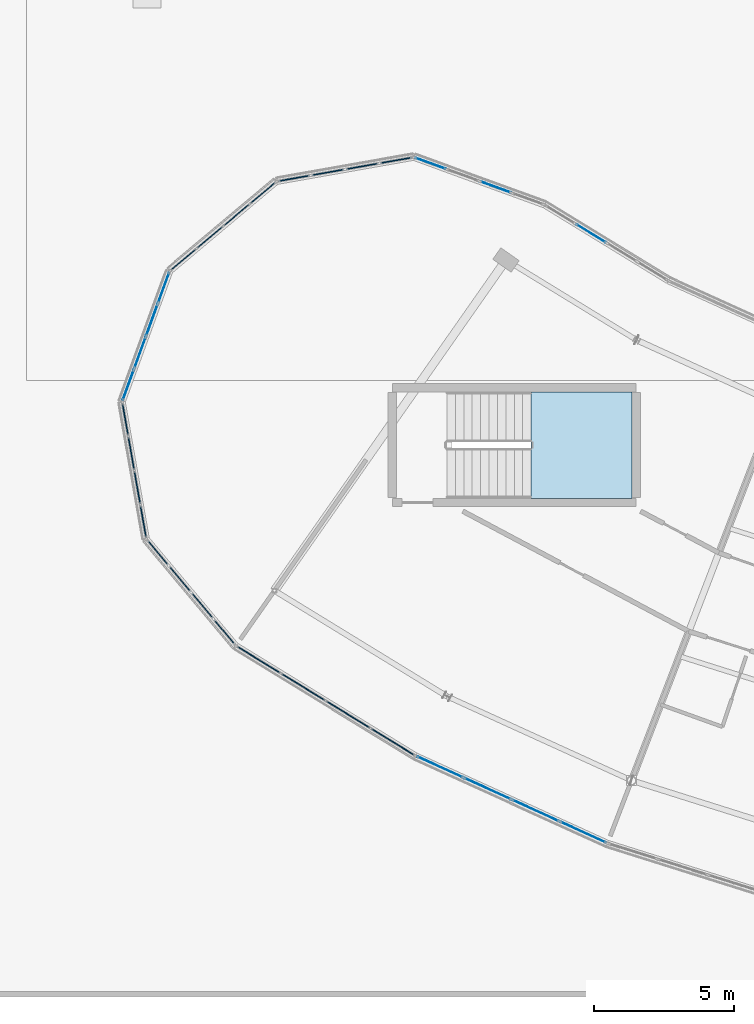
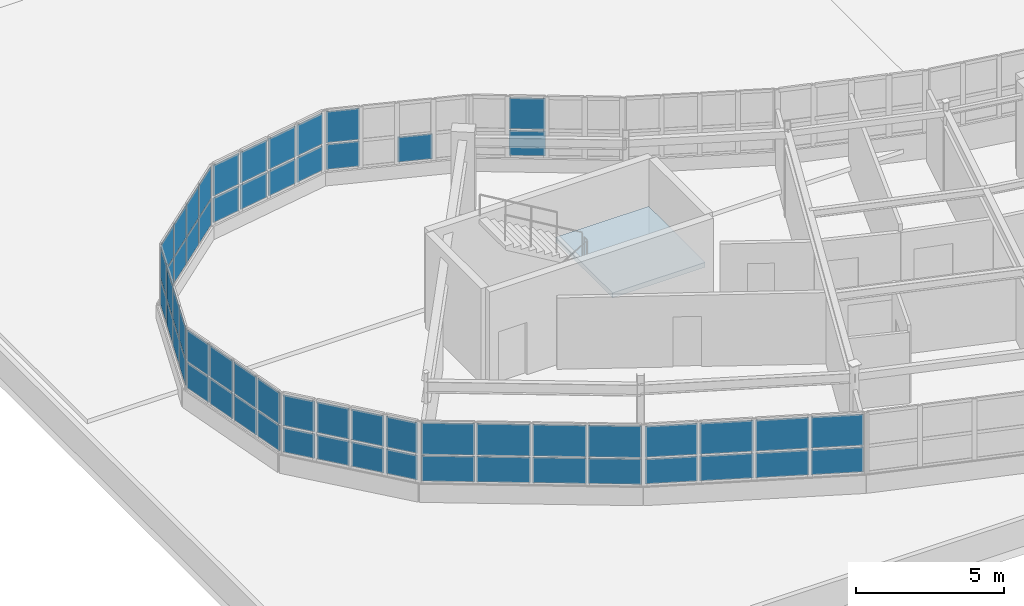
# One storey, part 67 of 128: 61 plates, 1 slab, 10 elements without a shape of their own.
"""IFC4 building model written with IfcOpenShell, lengths in metres."""

from ifc_helpers import new_model, si_unit, direction, frame, origin, origin_2d, place, context, subcontext, project, spatial, polyline, rectangle, outline, extrude, material, layer, layer_set, type_object, element, aggregate, save


model = new_model("IFC4")

# Units and contexts
model_context = context("Model", 3, precision=1e-05, world=origin(), true_north=direction((0.0, 1.0)))
body_context = subcontext(model_context, "Body", "Model", "MODEL_VIEW")
ifc_project = project(units=[si_unit("LENGTHUNIT", "METRE"), si_unit("AREAUNIT", "SQUARE_METRE"), si_unit("VOLUMEUNIT", "CUBIC_METRE"), si_unit("PLANEANGLEUNIT", "RADIAN"), si_unit("MASSUNIT", "GRAM", prefix="KILO")], contexts=[model_context])

# Site, building, storey
site_placement = place(None, origin())
site = spatial("IfcSite", under=ifc_project, at=site_placement, CompositionType="ELEMENT")
building_placement = place(site_placement, origin())
building = spatial("IfcBuilding", under=site, at=building_placement, Name="Tarnwether General Hospital", CompositionType="ELEMENT")
storey_placement = place(building_placement, frame((0.0, 0.0, 14.39990234375)))
storey = spatial("IfcBuildingStorey", under=building, at=storey_placement, Name="L03", CompositionType="ELEMENT", Elevation=14.39990234375)

# Curtain wall, plates
ifc_material_1 = material(Name="Anodised aluminium", Category="aluminium")
ifc_layer_1 = layer(ifc_material_1, 0.179931640625)
ifc_layer_set_1 = layer_set([ifc_layer_1], Name="Anodised aluminium")
curtain_wall_type_1 = type_object("IfcCurtainWallType", Name="CW-08", PredefinedType="NOTDEFINED", material=ifc_layer_set_1)
curtain_wall_1_placement = place(storey_placement, origin())
curtain_wall_1 = element("IfcCurtainWall", 1, at=curtain_wall_1_placement, inside=storey, type_object=curtain_wall_type_1, Name="Curtain Wall CWG-L03-699_55-0155", PredefinedType="NOTDEFINED")
ifc_material_2 = material(Name="Double glazed low-E glass", Category="glass")
ifc_layer_2 = layer(ifc_material_2, 0.028076171875)
ifc_layer_set_2 = layer_set([ifc_layer_2], Name="Double glazed low-E glass")
plate_type_1 = type_object("IfcPlateType", Name="PT-CWP1", PredefinedType="CURTAIN_PANEL", material=ifc_layer_set_2)
plate_1_placement = place(storey_placement, frame((69.053466796875, 5.88818359375, 1.1201171875), z_axis=(0.0, 0.0, 1.0), x_axis=(-0.909960793886, 0.414694289316, 0.0)))
plate_1 = element("IfcPlate", 2, at=plate_1_placement, type_object=plate_type_1, Name="CW-08 panel 1.1", PredefinedType="CURTAIN_PANEL", context=body_context, shape_type="SweptSolid", body=[
    extrude(rectangle(XDim=1.775390625, YDim=0.028076171875, at=origin_2d()), origin(), (0.0, 0.0, 1.0), 1.0244140625),
])
plate_2_placement = place(storey_placement, frame((69.053466796875, 5.88818359375, 2.214599609375), z_axis=(0.0, 0.0, 1.0), x_axis=(-0.909960793886, 0.414694289316, 0.0)))
plate_2 = element("IfcPlate", 3, at=plate_2_placement, type_object=plate_type_1, Name="CW-08 panel 1.2", PredefinedType="CURTAIN_PANEL", context=body_context, shape_type="SweptSolid", body=[
    extrude(rectangle(XDim=1.775390625, YDim=0.028076171875, at=origin_2d()), origin(), (0.0, 0.0, 1.0), 1.275390625),
])
plate_3_placement = place(storey_placement, frame((67.3583984375, 6.66064453125, 1.1201171875), z_axis=(0.0, 0.0, 1.0), x_axis=(-0.909960793886, 0.414694289316, 0.0)))
plate_3 = element("IfcPlate", 4, at=plate_3_placement, type_object=plate_type_1, Name="CW-08 panel 2.1", PredefinedType="CURTAIN_PANEL", context=body_context, shape_type="SweptSolid", body=[
    extrude(rectangle(XDim=1.810302734375, YDim=0.028076171875, at=origin_2d()), origin(), (0.0, 0.0, 1.0), 1.0244140625),
])
plate_4_placement = place(storey_placement, frame((67.3583984375, 6.66064453125, 2.214599609375), z_axis=(0.0, 0.0, 1.0), x_axis=(-0.909960793886, 0.414694289316, 0.0)))
plate_4 = element("IfcPlate", 5, at=plate_4_placement, type_object=plate_type_1, Name="CW-08 panel 2.2", PredefinedType="CURTAIN_PANEL", context=body_context, shape_type="SweptSolid", body=[
    extrude(rectangle(XDim=1.810302734375, YDim=0.028076171875, at=origin_2d()), origin(), (0.0, 0.0, 1.0), 1.275390625),
])
plate_5_placement = place(storey_placement, frame((65.6474609375, 7.4404296875, 1.1201171875), z_axis=(0.0, 0.0, 1.0), x_axis=(-0.909960793886, 0.414694289316, 0.0)))
plate_5 = element("IfcPlate", 6, at=plate_5_placement, type_object=plate_type_1, Name="CW-08 panel 3.1", PredefinedType="CURTAIN_PANEL", context=body_context, shape_type="SweptSolid", body=[
    extrude(rectangle(XDim=1.810302734375, YDim=0.028076171875, at=origin_2d()), origin(), (0.0, 0.0, 1.0), 1.0244140625),
])
plate_6_placement = place(storey_placement, frame((65.6474609375, 7.4404296875, 2.214599609375), z_axis=(0.0, 0.0, 1.0), x_axis=(-0.909960793886, 0.414694289316, 0.0)))
plate_6 = element("IfcPlate", 7, at=plate_6_placement, type_object=plate_type_1, Name="CW-08 panel 3.2", PredefinedType="CURTAIN_PANEL", context=body_context, shape_type="SweptSolid", body=[
    extrude(rectangle(XDim=1.810302734375, YDim=0.028076171875, at=origin_2d()), origin(), (0.0, 0.0, 1.0), 1.275390625),
])
plate_7_placement = place(storey_placement, frame((63.952392578125, 8.212890625, 1.1201171875), z_axis=(0.0, 0.0, 1.0), x_axis=(-0.909960793886, 0.414694289316, 0.0)))
plate_7 = element("IfcPlate", 8, at=plate_7_placement, type_object=plate_type_1, Name="CW-08 panel 4.1", PredefinedType="CURTAIN_PANEL", context=body_context, shape_type="SweptSolid", body=[
    extrude(rectangle(XDim=1.775390625, YDim=0.028076171875, at=origin_2d()), origin(), (0.0, 0.0, 1.0), 1.0244140625),
])
plate_8_placement = place(storey_placement, frame((63.952392578125, 8.212890625, 2.214599609375), z_axis=(0.0, 0.0, 1.0), x_axis=(-0.909960793886, 0.414694289316, 0.0)))
plate_8 = element("IfcPlate", 9, at=plate_8_placement, type_object=plate_type_1, Name="CW-08 panel 4.2", PredefinedType="CURTAIN_PANEL", context=body_context, shape_type="SweptSolid", body=[
    extrude(rectangle(XDim=1.775390625, YDim=0.028076171875, at=origin_2d()), origin(), (0.0, 0.0, 1.0), 1.275390625),
])
aggregate(curtain_wall_1, [plate_1, plate_2, plate_3, plate_4, plate_5, plate_6, plate_7, plate_8])

ifc_material_3 = material(Name="Anodised aluminium", Category="aluminium")
ifc_layer_3 = layer(ifc_material_3, 0.159912109375)
ifc_layer_set_3 = layer_set([ifc_layer_3], Name="Anodised aluminium")
curtain_wall_type_2 = type_object("IfcCurtainWallType", Name="CW-04", PredefinedType="NOTDEFINED", material=ifc_layer_set_3)
curtain_wall_2_placement = place(storey_placement, origin())
curtain_wall_2 = element("IfcCurtainWall", 10, at=curtain_wall_2_placement, inside=storey, type_object=curtain_wall_type_2, Name="Curtain Wall CWG-L03-677_283-0179", PredefinedType="NOTDEFINED")
plate_9_placement = place(storey_placement, frame((69.335205078125, 27.253662109375, 1.1201171875), z_axis=(0.0, 0.0, 1.0), x_axis=(0.852631789198, -0.522512231483, 0.0)))
plate_9 = element("IfcPlate", 11, at=plate_9_placement, type_object=plate_type_1, Name="CW-04 panel 2.1", PredefinedType="CURTAIN_PANEL", context=body_context, shape_type="SweptSolid", body=[
    extrude(rectangle(XDim=1.22412109375, YDim=0.028076171875, at=origin_2d()), origin(), (0.0, 0.0, 1.0), 1.0244140625),
])
plate_10_placement = place(storey_placement, frame((69.335205078125, 27.253662109375, 2.214599609375), z_axis=(0.0, 0.0, 1.0), x_axis=(0.852631789198, -0.522512231483, 0.0)))
plate_10 = element("IfcPlate", 12, at=plate_10_placement, type_object=plate_type_1, Name="CW-04 panel 2.2", PredefinedType="CURTAIN_PANEL", context=body_context, shape_type="SweptSolid", body=[
    extrude(rectangle(XDim=1.22412109375, YDim=0.028076171875, at=origin_2d()), origin(), (0.0, 0.0, 1.0), 1.275390625),
])
aggregate(curtain_wall_2, [plate_9, plate_10])

curtain_wall_3_placement = place(storey_placement, origin())
curtain_wall_3 = element("IfcCurtainWall", 13, at=curtain_wall_3_placement, inside=storey, type_object=curtain_wall_type_2, Name="Curtain Wall CWG-L03-630_300-0180", PredefinedType="NOTDEFINED")
plate_11_placement = place(storey_placement, frame((63.60986328125, 29.75, 1.115234375), z_axis=(0.0, 0.0, 1.0), x_axis=(0.939652319163, -0.342130850834, 0.0)))
plate_11 = element("IfcPlate", 14, at=plate_11_placement, type_object=plate_type_1, Name="CW-04 panel 1.1", PredefinedType="CURTAIN_PANEL", context=body_context, shape_type="SweptSolid", body=[
    extrude(rectangle(XDim=1.144775390625, YDim=0.028076171875, at=origin_2d()), origin(), (0.0, 0.0, 1.0), 1.031982421875),
])
plate_12_placement = place(storey_placement, frame((63.60986328125, 29.75, 2.2119140625), z_axis=(0.0, 0.0, 1.0), x_axis=(0.939652319163, -0.342130850834, 0.0)))
plate_12 = element("IfcPlate", 15, at=plate_12_placement, type_object=plate_type_1, Name="CW-04 panel 1.2", PredefinedType="CURTAIN_PANEL", context=body_context, shape_type="SweptSolid", body=[
    extrude(rectangle(XDim=1.144775390625, YDim=0.028076171875, at=origin_2d()), origin(), (0.0, 0.0, 1.0), 1.282958984375),
])
plate_13_placement = place(storey_placement, frame((65.92919921875, 28.905517578125, 1.115234375), z_axis=(0.0, 0.0, 1.0), x_axis=(0.939652319163, -0.342130850834, 0.0)))
plate_13 = element("IfcPlate", 16, at=plate_13_placement, type_object=plate_type_1, Name="CW-04 panel 3.1", PredefinedType="CURTAIN_PANEL", context=body_context, shape_type="SweptSolid", body=[
    extrude(rectangle(XDim=1.17724609375, YDim=0.028076171875, at=origin_2d()), origin(), (0.0, 0.0, 1.0), 1.031982421875),
])
aggregate(curtain_wall_3, [plate_11, plate_12, plate_13])

curtain_wall_4_placement = place(storey_placement, origin())
curtain_wall_4 = element("IfcCurtainWall", 17, at=curtain_wall_4_placement, inside=storey, type_object=curtain_wall_type_2, Name="Curtain Wall CWG-L03-543_259-0182", PredefinedType="NOTDEFINED")
plate_14_placement = place(storey_placement, frame((54.79736328125, 26.319091796875, 1.110107421875), z_axis=(0.0, 0.0, 1.0), x_axis=(0.765990176896, 0.64285227611, 0.0)))
plate_14 = element("IfcPlate", 18, at=plate_14_placement, type_object=plate_type_1, Name="CW-04 panel 1.1", PredefinedType="CURTAIN_PANEL", context=body_context, shape_type="SweptSolid", body=[
    extrude(rectangle(XDim=1.152587890625, YDim=0.028076171875, at=origin_2d()), origin(), (0.0, 0.0, 1.0), 1.03955078125),
])
plate_15_placement = place(storey_placement, frame((54.79736328125, 26.319091796875, 2.20947265625), z_axis=(0.0, 0.0, 1.0), x_axis=(0.765990176896, 0.64285227611, 0.0)))
plate_15 = element("IfcPlate", 19, at=plate_15_placement, type_object=plate_type_1, Name="CW-04 panel 1.2", PredefinedType="CURTAIN_PANEL", context=body_context, shape_type="SweptSolid", body=[
    extrude(rectangle(XDim=1.152587890625, YDim=0.028076171875, at=origin_2d()), origin(), (0.0, 0.0, 1.0), 1.29052734375),
])
plate_16_placement = place(storey_placement, frame((55.737548828125, 27.108154296875, 1.110107421875), z_axis=(0.0, 0.0, 1.0), x_axis=(0.765990176896, 0.64285227611, 0.0)))
plate_16 = element("IfcPlate", 20, at=plate_16_placement, type_object=plate_type_1, Name="CW-04 panel 2.1", PredefinedType="CURTAIN_PANEL", context=body_context, shape_type="SweptSolid", body=[
    extrude(rectangle(XDim=1.1826171875, YDim=0.028076171875, at=origin_2d()), origin(), (0.0, 0.0, 1.0), 1.03955078125),
])
plate_17_placement = place(storey_placement, frame((55.737548828125, 27.108154296875, 2.20947265625), z_axis=(0.0, 0.0, 1.0), x_axis=(0.765990176896, 0.64285227611, 0.0)))
plate_17 = element("IfcPlate", 21, at=plate_17_placement, type_object=plate_type_1, Name="CW-04 panel 2.2", PredefinedType="CURTAIN_PANEL", context=body_context, shape_type="SweptSolid", body=[
    extrude(rectangle(XDim=1.1826171875, YDim=0.028076171875, at=origin_2d()), origin(), (0.0, 0.0, 1.0), 1.29052734375),
])
plate_18_placement = place(storey_placement, frame((56.689453125, 27.906982421875, 1.110107421875), z_axis=(0.0, 0.0, 1.0), x_axis=(0.765990176896, 0.64285227611, 0.0)))
plate_18 = element("IfcPlate", 22, at=plate_18_placement, type_object=plate_type_1, Name="CW-04 panel 3.1", PredefinedType="CURTAIN_PANEL", context=body_context, shape_type="SweptSolid", body=[
    extrude(rectangle(XDim=1.1826171875, YDim=0.028076171875, at=origin_2d()), origin(), (0.0, 0.0, 1.0), 1.03955078125),
])
plate_19_placement = place(storey_placement, frame((56.689453125, 27.906982421875, 2.20947265625), z_axis=(0.0, 0.0, 1.0), x_axis=(0.765990176896, 0.64285227611, 0.0)))
plate_19 = element("IfcPlate", 23, at=plate_19_placement, type_object=plate_type_1, Name="CW-04 panel 3.2", PredefinedType="CURTAIN_PANEL", context=body_context, shape_type="SweptSolid", body=[
    extrude(rectangle(XDim=1.1826171875, YDim=0.028076171875, at=origin_2d()), origin(), (0.0, 0.0, 1.0), 1.29052734375),
])
plate_20_placement = place(storey_placement, frame((57.629638671875, 28.696044921875, 1.110107421875), z_axis=(0.0, 0.0, 1.0), x_axis=(0.765990176896, 0.64285227611, 0.0)))
plate_20 = element("IfcPlate", 24, at=plate_20_placement, type_object=plate_type_1, Name="CW-04 panel 4.1", PredefinedType="CURTAIN_PANEL", context=body_context, shape_type="SweptSolid", body=[
    extrude(rectangle(XDim=1.152587890625, YDim=0.028076171875, at=origin_2d()), origin(), (0.0, 0.0, 1.0), 1.03955078125),
])
plate_21_placement = place(storey_placement, frame((57.629638671875, 28.696044921875, 2.20947265625), z_axis=(0.0, 0.0, 1.0), x_axis=(0.765990176896, 0.64285227611, 0.0)))
plate_21 = element("IfcPlate", 25, at=plate_21_placement, type_object=plate_type_1, Name="CW-04 panel 4.2", PredefinedType="CURTAIN_PANEL", context=body_context, shape_type="SweptSolid", body=[
    extrude(rectangle(XDim=1.152587890625, YDim=0.028076171875, at=origin_2d()), origin(), (0.0, 0.0, 1.0), 1.29052734375),
])
aggregate(curtain_wall_4, [plate_14, plate_15, plate_16, plate_17, plate_18, plate_19, plate_20, plate_21])

curtain_wall_5_placement = place(storey_placement, origin())
curtain_wall_5 = element("IfcCurtainWall", 26, at=curtain_wall_5_placement, inside=storey, type_object=curtain_wall_type_2, Name="Curtain Wall CWG-L03-526_212-0183", PredefinedType="NOTDEFINED")
plate_22_placement = place(storey_placement, frame((52.829345703125, 21.841064453125, 1.1201171875), z_axis=(0.0, 0.0, 1.0), x_axis=(0.341953136469, 0.939717006582, 0.0)))
plate_22 = element("IfcPlate", 27, at=plate_22_placement, type_object=plate_type_1, Name="CW-04 panel 1.1", PredefinedType="CURTAIN_PANEL", context=body_context, shape_type="SweptSolid", body=[
    extrude(rectangle(XDim=1.13720703125, YDim=0.028076171875, at=origin_2d()), origin(), (0.0, 0.0, 1.0), 1.0244140625),
])
plate_23_placement = place(storey_placement, frame((52.829345703125, 21.841064453125, 2.214599609375), z_axis=(0.0, 0.0, 1.0), x_axis=(0.341953136469, 0.939717006582, 0.0)))
plate_23 = element("IfcPlate", 28, at=plate_23_placement, type_object=plate_type_1, Name="CW-04 panel 1.2", PredefinedType="CURTAIN_PANEL", context=body_context, shape_type="SweptSolid", body=[
    extrude(rectangle(XDim=1.13720703125, YDim=0.028076171875, at=origin_2d()), origin(), (0.0, 0.0, 1.0), 1.275390625),
])
plate_24_placement = place(storey_placement, frame((53.248046875, 22.991943359375, 1.1201171875), z_axis=(0.0, 0.0, 1.0), x_axis=(0.341953136469, 0.939717006582, 0.0)))
plate_24 = element("IfcPlate", 29, at=plate_24_placement, type_object=plate_type_1, Name="CW-04 panel 2.1", PredefinedType="CURTAIN_PANEL", context=body_context, shape_type="SweptSolid", body=[
    extrude(rectangle(XDim=1.172119140625, YDim=0.028076171875, at=origin_2d()), origin(), (0.0, 0.0, 1.0), 1.0244140625),
])
plate_25_placement = place(storey_placement, frame((53.248046875, 22.991943359375, 2.214599609375), z_axis=(0.0, 0.0, 1.0), x_axis=(0.341953136469, 0.939717006582, 0.0)))
plate_25 = element("IfcPlate", 30, at=plate_25_placement, type_object=plate_type_1, Name="CW-04 panel 2.2", PredefinedType="CURTAIN_PANEL", context=body_context, shape_type="SweptSolid", body=[
    extrude(rectangle(XDim=1.172119140625, YDim=0.028076171875, at=origin_2d()), origin(), (0.0, 0.0, 1.0), 1.275390625),
])
plate_26_placement = place(storey_placement, frame((53.6728515625, 24.1591796875, 1.1201171875), z_axis=(0.0, 0.0, 1.0), x_axis=(0.341953136469, 0.939717006582, 0.0)))
plate_26 = element("IfcPlate", 31, at=plate_26_placement, type_object=plate_type_1, Name="CW-04 panel 3.1", PredefinedType="CURTAIN_PANEL", context=body_context, shape_type="SweptSolid", body=[
    extrude(rectangle(XDim=1.172119140625, YDim=0.028076171875, at=origin_2d()), origin(), (0.0, 0.0, 1.0), 1.0244140625),
])
plate_27_placement = place(storey_placement, frame((53.6728515625, 24.1591796875, 2.214599609375), z_axis=(0.0, 0.0, 1.0), x_axis=(0.341953136469, 0.939717006582, 0.0)))
plate_27 = element("IfcPlate", 32, at=plate_27_placement, type_object=plate_type_1, Name="CW-04 panel 3.2", PredefinedType="CURTAIN_PANEL", context=body_context, shape_type="SweptSolid", body=[
    extrude(rectangle(XDim=1.172119140625, YDim=0.028076171875, at=origin_2d()), origin(), (0.0, 0.0, 1.0), 1.275390625),
])
plate_28_placement = place(storey_placement, frame((54.091552734375, 25.309814453125, 1.1201171875), z_axis=(0.0, 0.0, 1.0), x_axis=(0.341953136469, 0.939717006582, 0.0)))
plate_28 = element("IfcPlate", 33, at=plate_28_placement, type_object=plate_type_1, Name="CW-04 panel 4.1", PredefinedType="CURTAIN_PANEL", context=body_context, shape_type="SweptSolid", body=[
    extrude(rectangle(XDim=1.13720703125, YDim=0.028076171875, at=origin_2d()), origin(), (0.0, 0.0, 1.0), 1.0244140625),
])
plate_29_placement = place(storey_placement, frame((54.091552734375, 25.309814453125, 2.214599609375), z_axis=(0.0, 0.0, 1.0), x_axis=(0.341953136469, 0.939717006582, 0.0)))
plate_29 = element("IfcPlate", 34, at=plate_29_placement, type_object=plate_type_1, Name="CW-04 panel 4.2", PredefinedType="CURTAIN_PANEL", context=body_context, shape_type="SweptSolid", body=[
    extrude(rectangle(XDim=1.13720703125, YDim=0.028076171875, at=origin_2d()), origin(), (0.0, 0.0, 1.0), 1.275390625),
])
aggregate(curtain_wall_5, [plate_22, plate_23, plate_24, plate_25, plate_26, plate_27, plate_28, plate_29])

curtain_wall_6_placement = place(storey_placement, origin())
curtain_wall_6 = element("IfcCurtainWall", 35, at=curtain_wall_6_placement, inside=storey, type_object=curtain_wall_type_2, Name="Curtain Wall CWG-L03-567_125-0185", PredefinedType="NOTDEFINED")
plate_30_placement = place(storey_placement, frame((56.255859375, 13.03125, 1.1298828125), z_axis=(0.0, 0.0, 1.0), x_axis=(-0.64285227611, 0.765990176896, 0.0)))
plate_30 = element("IfcPlate", 36, at=plate_30_placement, type_object=plate_type_1, Name="CW-04 panel 1.1", PredefinedType="CURTAIN_PANEL", context=body_context, shape_type="SweptSolid", body=[
    extrude(rectangle(XDim=1.12255859375, YDim=0.028076171875, at=origin_2d()), origin(), (0.0, 0.0, 1.0), 1.009521484375),
])
plate_31_placement = place(storey_placement, frame((56.255859375, 13.03125, 2.2197265625), z_axis=(0.0, 0.0, 1.0), x_axis=(-0.64285227611, 0.765990176896, 0.0)))
plate_31 = element("IfcPlate", 37, at=plate_31_placement, type_object=plate_type_1, Name="CW-04 panel 1.2", PredefinedType="CURTAIN_PANEL", context=body_context, shape_type="SweptSolid", body=[
    extrude(rectangle(XDim=1.12255859375, YDim=0.028076171875, at=origin_2d()), origin(), (0.0, 0.0, 1.0), 1.260498046875),
])
plate_32_placement = place(storey_placement, frame((55.469970703125, 13.967529296875, 1.1298828125), z_axis=(0.0, 0.0, 1.0), x_axis=(-0.64285227611, 0.765990176896, 0.0)))
plate_32 = element("IfcPlate", 38, at=plate_32_placement, type_object=plate_type_1, Name="CW-04 panel 2.1", PredefinedType="CURTAIN_PANEL", context=body_context, shape_type="SweptSolid", body=[
    extrude(rectangle(XDim=1.16259765625, YDim=0.028076171875, at=origin_2d()), origin(), (0.0, 0.0, 1.0), 1.009521484375),
])
plate_33_placement = place(storey_placement, frame((55.469970703125, 13.967529296875, 2.2197265625), z_axis=(0.0, 0.0, 1.0), x_axis=(-0.64285227611, 0.765990176896, 0.0)))
plate_33 = element("IfcPlate", 39, at=plate_33_placement, type_object=plate_type_1, Name="CW-04 panel 2.2", PredefinedType="CURTAIN_PANEL", context=body_context, shape_type="SweptSolid", body=[
    extrude(rectangle(XDim=1.16259765625, YDim=0.028076171875, at=origin_2d()), origin(), (0.0, 0.0, 1.0), 1.260498046875),
])
plate_34_placement = place(storey_placement, frame((54.671142578125, 14.91943359375, 1.1298828125), z_axis=(0.0, 0.0, 1.0), x_axis=(-0.64285227611, 0.765990176896, 0.0)))
plate_34 = element("IfcPlate", 40, at=plate_34_placement, type_object=plate_type_1, Name="CW-04 panel 3.1", PredefinedType="CURTAIN_PANEL", context=body_context, shape_type="SweptSolid", body=[
    extrude(rectangle(XDim=1.16259765625, YDim=0.028076171875, at=origin_2d()), origin(), (0.0, 0.0, 1.0), 1.009521484375),
])
plate_35_placement = place(storey_placement, frame((54.671142578125, 14.91943359375, 2.2197265625), z_axis=(0.0, 0.0, 1.0), x_axis=(-0.64285227611, 0.765990176896, 0.0)))
plate_35 = element("IfcPlate", 41, at=plate_35_placement, type_object=plate_type_1, Name="CW-04 panel 3.2", PredefinedType="CURTAIN_PANEL", context=body_context, shape_type="SweptSolid", body=[
    extrude(rectangle(XDim=1.16259765625, YDim=0.028076171875, at=origin_2d()), origin(), (0.0, 0.0, 1.0), 1.260498046875),
])
plate_36_placement = place(storey_placement, frame((53.88525390625, 15.855712890625, 1.1298828125), z_axis=(0.0, 0.0, 1.0), x_axis=(-0.64285227611, 0.765990176896, 0.0)))
plate_36 = element("IfcPlate", 42, at=plate_36_placement, type_object=plate_type_1, Name="CW-04 panel 4.1", PredefinedType="CURTAIN_PANEL", context=body_context, shape_type="SweptSolid", body=[
    extrude(rectangle(XDim=1.12255859375, YDim=0.028076171875, at=origin_2d()), origin(), (0.0, 0.0, 1.0), 1.009521484375),
])
plate_37_placement = place(storey_placement, frame((53.88525390625, 15.855712890625, 2.2197265625), z_axis=(0.0, 0.0, 1.0), x_axis=(-0.64285227611, 0.765990176896, 0.0)))
plate_37 = element("IfcPlate", 43, at=plate_37_placement, type_object=plate_type_1, Name="CW-04 panel 4.2", PredefinedType="CURTAIN_PANEL", context=body_context, shape_type="SweptSolid", body=[
    extrude(rectangle(XDim=1.12255859375, YDim=0.028076171875, at=origin_2d()), origin(), (0.0, 0.0, 1.0), 1.260498046875),
])
aggregate(curtain_wall_6, [plate_30, plate_31, plate_32, plate_33, plate_34, plate_35, plate_36, plate_37])

curtain_wall_7_placement = place(storey_placement, origin())
curtain_wall_7 = element("IfcCurtainWall", 44, at=curtain_wall_7_placement, inside=storey, type_object=curtain_wall_type_1, Name="Curtain Wall CWG-L03-631_86-0154", PredefinedType="NOTDEFINED")
ifc_material_4 = material(Name="Double glazed low-E glass", Category="glass")
ifc_layer_4 = layer(ifc_material_4, 0.035888671875)
ifc_layer_set_4 = layer_set([ifc_layer_4], Name="Double glazed low-E glass")
plate_type_2 = type_object("IfcPlateType", Name="PT-CWP2", PredefinedType="CURTAIN_PANEL", material=ifc_layer_set_4)
plate_38_placement = place(storey_placement, frame((62.2666015625, 9.109130859375, 1.110107421875), z_axis=(0.0, 0.0, 1.0), x_axis=(-0.852633734977, 0.522509056361, 0.0)))
plate_38 = element("IfcPlate", 45, at=plate_38_placement, type_object=plate_type_2, Name="CW-08 panel 1.1", PredefinedType="CURTAIN_PANEL", context=body_context, shape_type="SweptSolid", body=[
    extrude(rectangle(XDim=1.790283203125, YDim=0.035888671875, at=origin_2d()), origin(), (0.0, 0.0, 1.0), 1.03955078125),
])
plate_39_placement = place(storey_placement, frame((62.2666015625, 9.109130859375, 2.20947265625), z_axis=(0.0, 0.0, 1.0), x_axis=(-0.852633734977, 0.522509056361, 0.0)))
plate_39 = element("IfcPlate", 46, at=plate_39_placement, type_object=plate_type_2, Name="CW-08 panel 1.2", PredefinedType="CURTAIN_PANEL", context=body_context, shape_type="SweptSolid", body=[
    extrude(rectangle(XDim=1.790283203125, YDim=0.035888671875, at=origin_2d()), origin(), (0.0, 0.0, 1.0), 1.29052734375),
])
plate_40_placement = place(storey_placement, frame((60.676025390625, 10.083740234375, 1.110107421875), z_axis=(0.0, 0.0, 1.0), x_axis=(-0.852633734977, 0.522509056361, 0.0)))
plate_40 = element("IfcPlate", 47, at=plate_40_placement, type_object=plate_type_2, Name="CW-08 panel 2.1", PredefinedType="CURTAIN_PANEL", context=body_context, shape_type="SweptSolid", body=[
    extrude(rectangle(XDim=1.8203125, YDim=0.035888671875, at=origin_2d()), origin(), (0.0, 0.0, 1.0), 1.03955078125),
])
plate_41_placement = place(storey_placement, frame((60.676025390625, 10.083740234375, 2.20947265625), z_axis=(0.0, 0.0, 1.0), x_axis=(-0.852633734977, 0.522509056361, 0.0)))
plate_41 = element("IfcPlate", 48, at=plate_41_placement, type_object=plate_type_2, Name="CW-08 panel 2.2", PredefinedType="CURTAIN_PANEL", context=body_context, shape_type="SweptSolid", body=[
    extrude(rectangle(XDim=1.8203125, YDim=0.035888671875, at=origin_2d()), origin(), (0.0, 0.0, 1.0), 1.29052734375),
])
plate_42_placement = place(storey_placement, frame((59.07275390625, 11.066162109375, 1.110107421875), z_axis=(0.0, 0.0, 1.0), x_axis=(-0.852633734977, 0.522509056361, 0.0)))
plate_42 = element("IfcPlate", 49, at=plate_42_placement, type_object=plate_type_2, Name="CW-08 panel 3.1", PredefinedType="CURTAIN_PANEL", context=body_context, shape_type="SweptSolid", body=[
    extrude(rectangle(XDim=1.8203125, YDim=0.035888671875, at=origin_2d()), origin(), (0.0, 0.0, 1.0), 1.03955078125),
])
plate_43_placement = place(storey_placement, frame((59.07275390625, 11.066162109375, 2.20947265625), z_axis=(0.0, 0.0, 1.0), x_axis=(-0.852633734977, 0.522509056361, 0.0)))
plate_43 = element("IfcPlate", 50, at=plate_43_placement, type_object=plate_type_2, Name="CW-08 panel 3.2", PredefinedType="CURTAIN_PANEL", context=body_context, shape_type="SweptSolid", body=[
    extrude(rectangle(XDim=1.8203125, YDim=0.035888671875, at=origin_2d()), origin(), (0.0, 0.0, 1.0), 1.29052734375),
])
plate_44_placement = place(storey_placement, frame((57.482421875, 12.041015625, 1.110107421875), z_axis=(0.0, 0.0, 1.0), x_axis=(-0.852633734977, 0.522509056361, 0.0)))
plate_44 = element("IfcPlate", 51, at=plate_44_placement, type_object=plate_type_2, Name="CW-08 panel 4.1", PredefinedType="CURTAIN_PANEL", context=body_context, shape_type="SweptSolid", body=[
    extrude(rectangle(XDim=1.790283203125, YDim=0.035888671875, at=origin_2d()), origin(), (0.0, 0.0, 1.0), 1.03955078125),
])
plate_45_placement = place(storey_placement, frame((57.482421875, 12.041015625, 2.20947265625), z_axis=(0.0, 0.0, 1.0), x_axis=(-0.852633734977, 0.522509056361, 0.0)))
plate_45 = element("IfcPlate", 52, at=plate_45_placement, type_object=plate_type_2, Name="CW-08 panel 4.2", PredefinedType="CURTAIN_PANEL", context=body_context, shape_type="SweptSolid", body=[
    extrude(rectangle(XDim=1.790283203125, YDim=0.035888671875, at=origin_2d()), origin(), (0.0, 0.0, 1.0), 1.29052734375),
])
aggregate(curtain_wall_7, [plate_38, plate_39, plate_40, plate_41, plate_42, plate_43, plate_44, plate_45])

curtain_wall_8_placement = place(storey_placement, origin())
curtain_wall_8 = element("IfcCurtainWall", 53, at=curtain_wall_8_placement, inside=storey, type_object=curtain_wall_type_2, Name="Curtain Wall CWG-L03-581_291-0181", PredefinedType="NOTDEFINED")
plate_46_placement = place(storey_placement, frame((58.74853515625, 29.21630859375, 1.1298828125), z_axis=(0.0, 0.0, 1.0), x_axis=(0.984805834268, 0.173659059054, 0.0)))
plate_46 = element("IfcPlate", 54, at=plate_46_placement, type_object=plate_type_2, Name="CW-04 panel 1.1", PredefinedType="CURTAIN_PANEL", context=body_context, shape_type="SweptSolid", body=[
    extrude(rectangle(XDim=1.122314453125, YDim=0.035888671875, at=origin_2d()), origin(), (0.0, 0.0, 1.0), 1.009521484375),
])
plate_47_placement = place(storey_placement, frame((58.74853515625, 29.21630859375, 2.2197265625), z_axis=(0.0, 0.0, 1.0), x_axis=(0.984805834268, 0.173659059054, 0.0)))
plate_47 = element("IfcPlate", 55, at=plate_47_placement, type_object=plate_type_2, Name="CW-04 panel 1.2", PredefinedType="CURTAIN_PANEL", context=body_context, shape_type="SweptSolid", body=[
    extrude(rectangle(XDim=1.122314453125, YDim=0.035888671875, at=origin_2d()), origin(), (0.0, 0.0, 1.0), 1.260498046875),
])
plate_48_placement = place(storey_placement, frame((59.9521484375, 29.4287109375, 1.1298828125), z_axis=(0.0, 0.0, 1.0), x_axis=(0.984805834268, 0.173659059054, 0.0)))
plate_48 = element("IfcPlate", 56, at=plate_48_placement, type_object=plate_type_2, Name="CW-04 panel 2.1", PredefinedType="CURTAIN_PANEL", context=body_context, shape_type="SweptSolid", body=[
    extrude(rectangle(XDim=1.162353515625, YDim=0.035888671875, at=origin_2d()), origin(), (0.0, 0.0, 1.0), 1.009521484375),
])
plate_49_placement = place(storey_placement, frame((59.9521484375, 29.4287109375, 2.2197265625), z_axis=(0.0, 0.0, 1.0), x_axis=(0.984805834268, 0.173659059054, 0.0)))
plate_49 = element("IfcPlate", 57, at=plate_49_placement, type_object=plate_type_2, Name="CW-04 panel 2.2", PredefinedType="CURTAIN_PANEL", context=body_context, shape_type="SweptSolid", body=[
    extrude(rectangle(XDim=1.162353515625, YDim=0.035888671875, at=origin_2d()), origin(), (0.0, 0.0, 1.0), 1.260498046875),
])
plate_50_placement = place(storey_placement, frame((61.17578125, 29.644287109375, 1.1298828125), z_axis=(0.0, 0.0, 1.0), x_axis=(0.984805834268, 0.173659059054, 0.0)))
plate_50 = element("IfcPlate", 58, at=plate_50_placement, type_object=plate_type_2, Name="CW-04 panel 3.1", PredefinedType="CURTAIN_PANEL", context=body_context, shape_type="SweptSolid", body=[
    extrude(rectangle(XDim=1.162353515625, YDim=0.035888671875, at=origin_2d()), origin(), (0.0, 0.0, 1.0), 1.009521484375),
])
plate_51_placement = place(storey_placement, frame((61.17578125, 29.644287109375, 2.2197265625), z_axis=(0.0, 0.0, 1.0), x_axis=(0.984805834268, 0.173659059054, 0.0)))
plate_51 = element("IfcPlate", 59, at=plate_51_placement, type_object=plate_type_2, Name="CW-04 panel 3.2", PredefinedType="CURTAIN_PANEL", context=body_context, shape_type="SweptSolid", body=[
    extrude(rectangle(XDim=1.162353515625, YDim=0.035888671875, at=origin_2d()), origin(), (0.0, 0.0, 1.0), 1.260498046875),
])
plate_52_placement = place(storey_placement, frame((62.379638671875, 29.856689453125, 1.1298828125), z_axis=(0.0, 0.0, 1.0), x_axis=(0.984805834268, 0.173659059054, 0.0)))
plate_52 = element("IfcPlate", 60, at=plate_52_placement, type_object=plate_type_2, Name="CW-04 panel 4.1", PredefinedType="CURTAIN_PANEL", context=body_context, shape_type="SweptSolid", body=[
    extrude(rectangle(XDim=1.122314453125, YDim=0.035888671875, at=origin_2d()), origin(), (0.0, 0.0, 1.0), 1.009521484375),
])
plate_53_placement = place(storey_placement, frame((62.379638671875, 29.856689453125, 2.2197265625), z_axis=(0.0, 0.0, 1.0), x_axis=(0.984805834268, 0.173659059054, 0.0)))
plate_53 = element("IfcPlate", 61, at=plate_53_placement, type_object=plate_type_2, Name="CW-04 panel 4.2", PredefinedType="CURTAIN_PANEL", context=body_context, shape_type="SweptSolid", body=[
    extrude(rectangle(XDim=1.122314453125, YDim=0.035888671875, at=origin_2d()), origin(), (0.0, 0.0, 1.0), 1.260498046875),
])
aggregate(curtain_wall_8, [plate_46, plate_47, plate_48, plate_49, plate_50, plate_51, plate_52, plate_53])

curtain_wall_9_placement = place(storey_placement, origin())
curtain_wall_9 = element("IfcCurtainWall", 62, at=curtain_wall_9_placement, inside=storey, type_object=curtain_wall_type_2, Name="Curtain Wall CWG-L03-535_163-0184", PredefinedType="NOTDEFINED")
plate_54_placement = place(storey_placement, frame((53.362548828125, 16.974853515625, 1.115234375), z_axis=(0.0, 0.0, 1.0), x_axis=(-0.173463890135, 0.984840230098, 0.0)))
plate_54 = element("IfcPlate", 63, at=plate_54_placement, type_object=plate_type_2, Name="CW-04 panel 1.1", PredefinedType="CURTAIN_PANEL", context=body_context, shape_type="SweptSolid", body=[
    extrude(rectangle(XDim=1.144775390625, YDim=0.035888671875, at=origin_2d()), origin(), (0.0, 0.0, 1.0), 1.031982421875),
])
plate_55_placement = place(storey_placement, frame((53.362548828125, 16.974853515625, 2.2119140625), z_axis=(0.0, 0.0, 1.0), x_axis=(-0.173463890135, 0.984840230098, 0.0)))
plate_55 = element("IfcPlate", 64, at=plate_55_placement, type_object=plate_type_2, Name="CW-04 panel 1.2", PredefinedType="CURTAIN_PANEL", context=body_context, shape_type="SweptSolid", body=[
    extrude(rectangle(XDim=1.144775390625, YDim=0.035888671875, at=origin_2d()), origin(), (0.0, 0.0, 1.0), 1.282958984375),
])
plate_56_placement = place(storey_placement, frame((53.149658203125, 18.18212890625, 1.115234375), z_axis=(0.0, 0.0, 1.0), x_axis=(-0.173463890135, 0.984840230098, 0.0)))
plate_56 = element("IfcPlate", 65, at=plate_56_placement, type_object=plate_type_2, Name="CW-04 panel 2.1", PredefinedType="CURTAIN_PANEL", context=body_context, shape_type="SweptSolid", body=[
    extrude(rectangle(XDim=1.17724609375, YDim=0.035888671875, at=origin_2d()), origin(), (0.0, 0.0, 1.0), 1.031982421875),
])
plate_57_placement = place(storey_placement, frame((53.149658203125, 18.18212890625, 2.2119140625), z_axis=(0.0, 0.0, 1.0), x_axis=(-0.173463890135, 0.984840230098, 0.0)))
plate_57 = element("IfcPlate", 66, at=plate_57_placement, type_object=plate_type_2, Name="CW-04 panel 2.2", PredefinedType="CURTAIN_PANEL", context=body_context, shape_type="SweptSolid", body=[
    extrude(rectangle(XDim=1.17724609375, YDim=0.035888671875, at=origin_2d()), origin(), (0.0, 0.0, 1.0), 1.282958984375),
])
plate_58_placement = place(storey_placement, frame((52.934326171875, 19.40576171875, 1.115234375), z_axis=(0.0, 0.0, 1.0), x_axis=(-0.173463890135, 0.984840230098, 0.0)))
plate_58 = element("IfcPlate", 67, at=plate_58_placement, type_object=plate_type_2, Name="CW-04 panel 3.1", PredefinedType="CURTAIN_PANEL", context=body_context, shape_type="SweptSolid", body=[
    extrude(rectangle(XDim=1.17724609375, YDim=0.035888671875, at=origin_2d()), origin(), (0.0, 0.0, 1.0), 1.031982421875),
])
plate_59_placement = place(storey_placement, frame((52.934326171875, 19.40576171875, 2.2119140625), z_axis=(0.0, 0.0, 1.0), x_axis=(-0.173463890135, 0.984840230098, 0.0)))
plate_59 = element("IfcPlate", 68, at=plate_59_placement, type_object=plate_type_2, Name="CW-04 panel 3.2", PredefinedType="CURTAIN_PANEL", context=body_context, shape_type="SweptSolid", body=[
    extrude(rectangle(XDim=1.17724609375, YDim=0.035888671875, at=origin_2d()), origin(), (0.0, 0.0, 1.0), 1.282958984375),
])
plate_60_placement = place(storey_placement, frame((52.7216796875, 20.61328125, 1.115234375), z_axis=(0.0, 0.0, 1.0), x_axis=(-0.173463890135, 0.984840230098, 0.0)))
plate_60 = element("IfcPlate", 69, at=plate_60_placement, type_object=plate_type_2, Name="CW-04 panel 4.1", PredefinedType="CURTAIN_PANEL", context=body_context, shape_type="SweptSolid", body=[
    extrude(rectangle(XDim=1.144775390625, YDim=0.035888671875, at=origin_2d()), origin(), (0.0, 0.0, 1.0), 1.031982421875),
])
plate_61_placement = place(storey_placement, frame((52.7216796875, 20.61328125, 2.2119140625), z_axis=(0.0, 0.0, 1.0), x_axis=(-0.173463890135, 0.984840230098, 0.0)))
plate_61 = element("IfcPlate", 70, at=plate_61_placement, type_object=plate_type_2, Name="CW-04 panel 4.2", PredefinedType="CURTAIN_PANEL", context=body_context, shape_type="SweptSolid", body=[
    extrude(rectangle(XDim=1.144775390625, YDim=0.035888671875, at=origin_2d()), origin(), (0.0, 0.0, 1.0), 1.282958984375),
])
aggregate(curtain_wall_9, [plate_54, plate_55, plate_56, plate_57, plate_58, plate_59, plate_60, plate_61])

# Stair, slab
ifc_material_5 = material(Name="Concrete 40 MPa", Category="concrete")
stair_type = type_object("IfcStairType", Name="ST-DL39A", PredefinedType="HALF_TURN_STAIR", material=ifc_material_5)
stair_placement = place(storey_placement, origin())
stair = element("IfcStair", 71, at=stair_placement, inside=storey, type_object=stair_type, Name="L03 Exit Stair ST-09", PredefinedType="HALF_TURN_STAIR")
ifc_material_6 = material(Name="Concrete 40 MPa", Category="concrete")
ifc_layer_5 = layer(ifc_material_6, 0.199951171875)
ifc_layer_set_5 = layer_set([ifc_layer_5], Name="Concrete 40 MPa")
slab_type = type_object("IfcSlabType", Name="SL-LD200", PredefinedType="LANDING", material=ifc_layer_set_5)
slab_placement = place(storey_placement, frame((0.0, 0.0, 1.75)))
slab = element("IfcSlab", 72, at=slab_placement, type_object=slab_type, Name="ST-09 landing 1", PredefinedType="LANDING", context=body_context, shape_type="SweptSolid", body=[
    extrude(outline(polyline([(67.199951171875, 17.800048828125), (70.800048828125, 17.800048828125), (70.800048828125, 21.60009765625), (67.199951171875, 21.60009765625), (67.199951171875, 17.800048828125)])), origin(), (0.0, 0.0, 1.0), 0.2001953125),
])
aggregate(stair, [slab])

save(model, "model.ifc")
